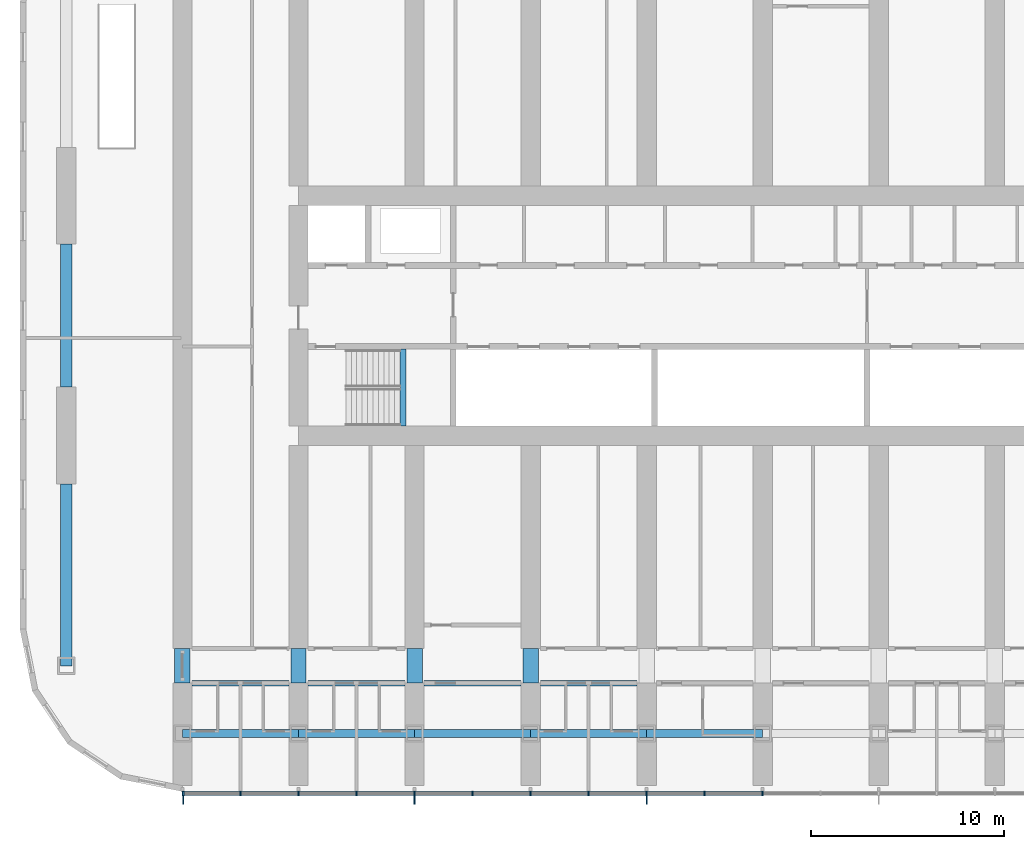
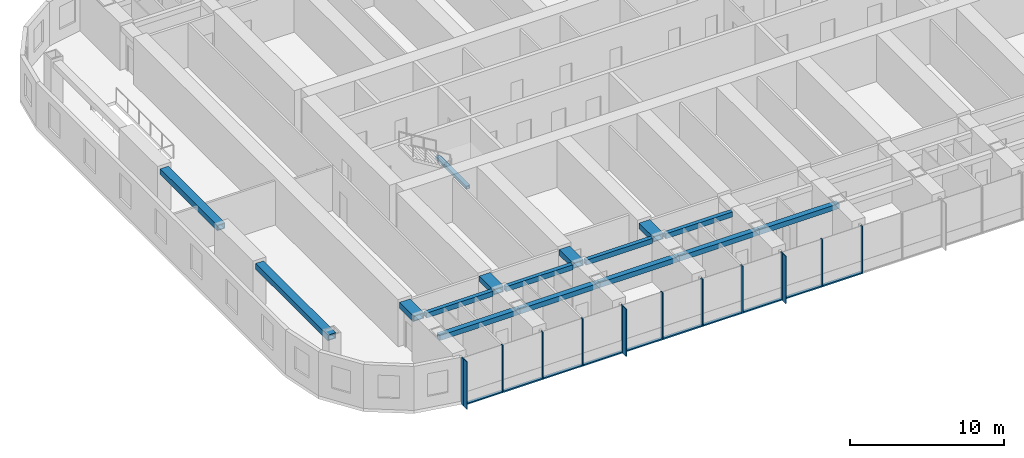
# One storey, part 2 of 24: 24 members, 16 beams, 1 element without a shape of its own.
"""IFC4 building model written with IfcOpenShell, lengths in metres."""

from ifc_helpers import new_model, si_unit, direction, frame, origin, origin_2d, place, context, subcontext, project, spatial, rectangle, hollow_rectangle, extrude, material, material_profile, profile_set, type_object, element, aggregate, save


model = new_model("IFC4")

# Units and contexts
model_context = context("Model", 3, precision=1e-05, world=origin(), true_north=direction((0.0, 1.0)))
body_context = subcontext(model_context, "Body", "Model", "MODEL_VIEW")
ifc_project = project(units=[si_unit("LENGTHUNIT", "METRE"), si_unit("AREAUNIT", "SQUARE_METRE"), si_unit("VOLUMEUNIT", "CUBIC_METRE"), si_unit("PLANEANGLEUNIT", "RADIAN"), si_unit("MASSUNIT", "GRAM", prefix="KILO")], contexts=[model_context])

# Site, building, storey
site_placement = place(None, origin())
site = spatial("IfcSite", under=ifc_project, at=site_placement, CompositionType="ELEMENT")
building_placement = place(site_placement, origin())
building = spatial("IfcBuilding", under=site, at=building_placement, Name="Orbita Commons", CompositionType="ELEMENT")
storey_placement = place(building_placement, frame((0.0, 0.0, 27.699951171875)))
storey = spatial("IfcBuildingStorey", under=building, at=storey_placement, Name="L06", CompositionType="ELEMENT", Elevation=27.699951171875)

# Curtain wall, members
ifc_material_1 = material(Name="Anodised aluminium frame, pale silver", Category="aluminium")
curtain_wall_type = type_object("IfcCurtainWallType", Name="Unitised curtain wall CW-T, vision and spandrel", PredefinedType="NOTDEFINED", material=ifc_material_1)
curtain_wall_placement = place(storey_placement, origin())
curtain_wall = element("IfcCurtainWall", 1, at=curtain_wall_placement, inside=storey, type_object=curtain_wall_type, Name="Curtain wall south L06", PredefinedType="NOTDEFINED")
ifc_material_2 = material(Name="Anodised aluminium, pale silver", Category="aluminium")
ifc_material_profile_1 = material_profile(ifc_material_2, rectangle(XDim=0.080078125, YDim=0.219970703125, at=origin_2d()), Name="AL 80x220")
ifc_profile_set_1 = profile_set([ifc_material_profile_1], Name="Anodised aluminium, pale silver")
member_type_1 = type_object("IfcMemberType", Name="Curtain wall mullion 80x220", PredefinedType="MULLION", material=ifc_profile_set_1)
member_1_placement = place(storey_placement, frame((12.0400390625, 7.2900390625, -0.25), z_axis=(0.0, 0.0, 1.0), x_axis=(1.0, 0.0, 0.0)))
member_1 = element("IfcMember", 2, at=member_1_placement, type_object=member_type_1, Name="Mullion 1 CW-L06-S", PredefinedType="MULLION", context=body_context, shape_type="SweptSolid", body=[
    extrude(rectangle(XDim=0.080078125, YDim=0.219970703125, at=origin_2d()), origin(), (0.0, 0.0, 1.0), 3.75),
])
member_2_placement = place(storey_placement, frame((15.0, 7.2900390625, -0.25), z_axis=(0.0, 0.0, 1.0), x_axis=(1.0, 0.0, 0.0)))
member_2 = element("IfcMember", 3, at=member_2_placement, type_object=member_type_1, Name="Mullion 2 CW-L06-S", PredefinedType="MULLION", context=body_context, shape_type="SweptSolid", body=[
    extrude(rectangle(XDim=0.080078125, YDim=0.219970703125, at=origin_2d()), origin(), (0.0, 0.0, 1.0), 3.75),
])
member_3_placement = place(storey_placement, frame((18.0, 7.2900390625, -0.25), z_axis=(0.0, 0.0, 1.0), x_axis=(1.0, 0.0, 0.0)))
member_3 = element("IfcMember", 4, at=member_3_placement, type_object=member_type_1, Name="Mullion 3 CW-L06-S", PredefinedType="MULLION", context=body_context, shape_type="SweptSolid", body=[
    extrude(rectangle(XDim=0.080078125, YDim=0.219970703125, at=origin_2d()), origin(), (0.0, 0.0, 1.0), 3.75),
])
member_4_placement = place(storey_placement, frame((21.0, 7.2900390625, -0.25), z_axis=(0.0, 0.0, 1.0), x_axis=(1.0, 0.0, 0.0)))
member_4 = element("IfcMember", 5, at=member_4_placement, type_object=member_type_1, Name="Mullion 4 CW-L06-S", PredefinedType="MULLION", context=body_context, shape_type="SweptSolid", body=[
    extrude(rectangle(XDim=0.080078125, YDim=0.219970703125, at=origin_2d()), origin(), (0.0, 0.0, 1.0), 3.75),
])
member_5_placement = place(storey_placement, frame((24.0, 7.2900390625, -0.25), z_axis=(0.0, 0.0, 1.0), x_axis=(1.0, 0.0, 0.0)))
member_5 = element("IfcMember", 6, at=member_5_placement, type_object=member_type_1, Name="Mullion 5 CW-L06-S", PredefinedType="MULLION", context=body_context, shape_type="SweptSolid", body=[
    extrude(rectangle(XDim=0.080078125, YDim=0.219970703125, at=origin_2d()), origin(), (0.0, 0.0, 1.0), 3.75),
])
member_6_placement = place(storey_placement, frame((27.0, 7.2900390625, -0.25), z_axis=(0.0, 0.0, 1.0), x_axis=(1.0, 0.0, 0.0)))
member_6 = element("IfcMember", 7, at=member_6_placement, type_object=member_type_1, Name="Mullion 6 CW-L06-S", PredefinedType="MULLION", context=body_context, shape_type="SweptSolid", body=[
    extrude(rectangle(XDim=0.080078125, YDim=0.219970703125, at=origin_2d()), origin(), (0.0, 0.0, 1.0), 3.75),
])
member_7_placement = place(storey_placement, frame((30.0, 7.2900390625, -0.25), z_axis=(0.0, 0.0, 1.0), x_axis=(1.0, 0.0, 0.0)))
member_7 = element("IfcMember", 8, at=member_7_placement, type_object=member_type_1, Name="Mullion 7 CW-L06-S", PredefinedType="MULLION", context=body_context, shape_type="SweptSolid", body=[
    extrude(rectangle(XDim=0.080078125, YDim=0.219970703125, at=origin_2d()), origin(), (0.0, 0.0, 1.0), 3.75),
])
member_8_placement = place(storey_placement, frame((33.0, 7.2900390625, -0.25), z_axis=(0.0, 0.0, 1.0), x_axis=(1.0, 0.0, 0.0)))
member_8 = element("IfcMember", 9, at=member_8_placement, type_object=member_type_1, Name="Mullion 8 CW-L06-S", PredefinedType="MULLION", context=body_context, shape_type="SweptSolid", body=[
    extrude(rectangle(XDim=0.080078125, YDim=0.219970703125, at=origin_2d()), origin(), (0.0, 0.0, 1.0), 3.75),
])
member_9_placement = place(storey_placement, frame((36.0, 7.2900390625, -0.25), z_axis=(0.0, 0.0, 1.0), x_axis=(1.0, 0.0, 0.0)))
member_9 = element("IfcMember", 10, at=member_9_placement, type_object=member_type_1, Name="Mullion 9 CW-L06-S", PredefinedType="MULLION", context=body_context, shape_type="SweptSolid", body=[
    extrude(rectangle(XDim=0.080078125, YDim=0.219970703125, at=origin_2d()), origin(), (0.0, 0.0, 1.0), 3.75),
])
member_10_placement = place(storey_placement, frame((39.0, 7.2900390625, -0.25), z_axis=(0.0, 0.0, 1.0), x_axis=(1.0, 0.0, 0.0)))
member_10 = element("IfcMember", 11, at=member_10_placement, type_object=member_type_1, Name="Mullion 10 CW-L06-S", PredefinedType="MULLION", context=body_context, shape_type="SweptSolid", body=[
    extrude(rectangle(XDim=0.080078125, YDim=0.219970703125, at=origin_2d()), origin(), (0.0, 0.0, 1.0), 3.75),
])
member_11_placement = place(storey_placement, frame((42.0, 7.2900390625, -0.25), z_axis=(0.0, 0.0, 1.0), x_axis=(1.0, 0.0, 0.0)))
member_11 = element("IfcMember", 12, at=member_11_placement, type_object=member_type_1, Name="Mullion 11 CW-L06-S", PredefinedType="MULLION", context=body_context, shape_type="SweptSolid", body=[
    extrude(rectangle(XDim=0.080078125, YDim=0.219970703125, at=origin_2d()), origin(), (0.0, 0.0, 1.0), 3.75),
])
ifc_material_3 = material(Name="Anodised aluminium, pale silver", Category="aluminium")
ifc_material_profile_2 = material_profile(ifc_material_3, rectangle(XDim=0.219970703125, YDim=0.10009765625, at=origin_2d()), Name="AL 220x100")
ifc_profile_set_2 = profile_set([ifc_material_profile_2], Name="Anodised aluminium, pale silver")
member_type_2 = type_object("IfcMemberType", Name="Curtain wall stack transom 220x100", PredefinedType="USERDEFINED", material=ifc_profile_set_2)
member_12_placement = place(storey_placement, frame((12.080078125, 7.2900390625, -0.199951171875), z_axis=(1.0, 0.0, 0.0), x_axis=(0.0, 1.0, 0.0)))
member_12 = element("IfcMember", 13, at=member_12_placement, type_object=member_type_2, Name="Transom 1.1 CW-L06-S", ObjectType="TRANSOM", PredefinedType="USERDEFINED", context=body_context, shape_type="SweptSolid", body=[
    extrude(rectangle(XDim=0.219970703125, YDim=0.10009765625, at=origin_2d()), origin(), (0.0, 0.0, 1.0), 2.8798828125),
])
member_13_placement = place(storey_placement, frame((15.0400390625, 7.2900390625, -0.199951171875), z_axis=(1.0, 0.0, 0.0), x_axis=(0.0, 1.0, 0.0)))
member_13 = element("IfcMember", 14, at=member_13_placement, type_object=member_type_2, Name="Transom 2.1 CW-L06-S", ObjectType="TRANSOM", PredefinedType="USERDEFINED", context=body_context, shape_type="SweptSolid", body=[
    extrude(rectangle(XDim=0.219970703125, YDim=0.10009765625, at=origin_2d()), origin(), (0.0, 0.0, 1.0), 2.919921875),
])
member_14_placement = place(storey_placement, frame((18.0400390625, 7.2900390625, -0.199951171875), z_axis=(1.0, 0.0, 0.0), x_axis=(0.0, 1.0, 0.0)))
member_14 = element("IfcMember", 15, at=member_14_placement, type_object=member_type_2, Name="Transom 3.1 CW-L06-S", ObjectType="TRANSOM", PredefinedType="USERDEFINED", context=body_context, shape_type="SweptSolid", body=[
    extrude(rectangle(XDim=0.219970703125, YDim=0.10009765625, at=origin_2d()), origin(), (0.0, 0.0, 1.0), 2.919921875),
])
member_15_placement = place(storey_placement, frame((21.0400390625, 7.2900390625, -0.199951171875), z_axis=(1.0, 0.0, 0.0), x_axis=(0.0, 1.0, 0.0)))
member_15 = element("IfcMember", 16, at=member_15_placement, type_object=member_type_2, Name="Transom 4.1 CW-L06-S", ObjectType="TRANSOM", PredefinedType="USERDEFINED", context=body_context, shape_type="SweptSolid", body=[
    extrude(rectangle(XDim=0.219970703125, YDim=0.10009765625, at=origin_2d()), origin(), (0.0, 0.0, 1.0), 2.919921875),
])
member_16_placement = place(storey_placement, frame((24.0400390625, 7.2900390625, -0.199951171875), z_axis=(1.0, 0.0, 0.0), x_axis=(0.0, 1.0, 0.0)))
member_16 = element("IfcMember", 17, at=member_16_placement, type_object=member_type_2, Name="Transom 5.1 CW-L06-S", ObjectType="TRANSOM", PredefinedType="USERDEFINED", context=body_context, shape_type="SweptSolid", body=[
    extrude(rectangle(XDim=0.219970703125, YDim=0.10009765625, at=origin_2d()), origin(), (0.0, 0.0, 1.0), 2.919921875),
])
member_17_placement = place(storey_placement, frame((27.0400390625, 7.2900390625, -0.199951171875), z_axis=(1.0, 0.0, 0.0), x_axis=(0.0, 1.0, 0.0)))
member_17 = element("IfcMember", 18, at=member_17_placement, type_object=member_type_2, Name="Transom 6.1 CW-L06-S", ObjectType="TRANSOM", PredefinedType="USERDEFINED", context=body_context, shape_type="SweptSolid", body=[
    extrude(rectangle(XDim=0.219970703125, YDim=0.10009765625, at=origin_2d()), origin(), (0.0, 0.0, 1.0), 2.919921875),
])
member_18_placement = place(storey_placement, frame((30.0400390625, 7.2900390625, -0.199951171875), z_axis=(1.0, 0.0, 0.0), x_axis=(0.0, 1.0, 0.0)))
member_18 = element("IfcMember", 19, at=member_18_placement, type_object=member_type_2, Name="Transom 7.1 CW-L06-S", ObjectType="TRANSOM", PredefinedType="USERDEFINED", context=body_context, shape_type="SweptSolid", body=[
    extrude(rectangle(XDim=0.219970703125, YDim=0.10009765625, at=origin_2d()), origin(), (0.0, 0.0, 1.0), 2.919921875),
])
member_19_placement = place(storey_placement, frame((33.0400390625, 7.2900390625, -0.199951171875), z_axis=(1.0, 0.0, 0.0), x_axis=(0.0, 1.0, 0.0)))
member_19 = element("IfcMember", 20, at=member_19_placement, type_object=member_type_2, Name="Transom 8.1 CW-L06-S", ObjectType="TRANSOM", PredefinedType="USERDEFINED", context=body_context, shape_type="SweptSolid", body=[
    extrude(rectangle(XDim=0.219970703125, YDim=0.10009765625, at=origin_2d()), origin(), (0.0, 0.0, 1.0), 2.919921875),
])
member_20_placement = place(storey_placement, frame((36.0400390625, 7.2900390625, -0.199951171875), z_axis=(1.0, 0.0, 0.0), x_axis=(0.0, 1.0, 0.0)))
member_20 = element("IfcMember", 21, at=member_20_placement, type_object=member_type_2, Name="Transom 9.1 CW-L06-S", ObjectType="TRANSOM", PredefinedType="USERDEFINED", context=body_context, shape_type="SweptSolid", body=[
    extrude(rectangle(XDim=0.219970703125, YDim=0.10009765625, at=origin_2d()), origin(), (0.0, 0.0, 1.0), 2.919921875),
])
member_21_placement = place(storey_placement, frame((39.0400390625, 7.2900390625, -0.199951171875), z_axis=(1.0, 0.0, 0.0), x_axis=(0.0, 1.0, 0.0)))
member_21 = element("IfcMember", 22, at=member_21_placement, type_object=member_type_2, Name="Transom 10.1 CW-L06-S", ObjectType="TRANSOM", PredefinedType="USERDEFINED", context=body_context, shape_type="SweptSolid", body=[
    extrude(rectangle(XDim=0.219970703125, YDim=0.10009765625, at=origin_2d()), origin(), (0.0, 0.0, 1.0), 2.919921875),
])

# Beams
ifc_material_4 = material(Name="Steel ASTM A572 Gr 50 welded plate", Category="steel")
ifc_material_profile_3 = material_profile(ifc_material_4, hollow_rectangle(XDim=0.300048828125, YDim=0.25, WallThickness=0.02490234375, at=origin_2d()), Name="BOX 250x300x25")
ifc_profile_set_3 = profile_set([ifc_material_profile_3], Name="Steel ASTM A572 Gr 50 welded plate")
beam_type_1 = type_object("IfcBeamType", Name="Stair landing beam steel BOX 250x300x25", PredefinedType="BEAM", material=ifc_profile_set_3)
beam_1_placement = place(storey_placement, frame((23.39990234375, 26.284912109375, 1.550048828125), z_axis=(0.0, 1.0, 0.0), x_axis=(-1.0, 0.0, 0.0)))
element("IfcBeam", 23, at=beam_1_placement, inside=storey, type_object=beam_type_1, Name="Stair S1 landing beam L06 1", PredefinedType="BEAM", context=body_context, shape_type="SweptSolid", body=[
    extrude(hollow_rectangle(XDim=0.300048828125, YDim=0.25, WallThickness=0.02490234375, at=origin_2d()), origin(), (0.0, 0.0, 1.0), 3.97998046875),
])
ifc_material_5 = material(Name="Steel ASTM A572 Gr 50 welded plate", Category="steel")
ifc_material_profile_4 = material_profile(ifc_material_5, hollow_rectangle(XDim=0.300048828125, YDim=0.39990234375, WallThickness=0.0400390625, at=origin_2d()), Name="BOX 400x300x40")
ifc_profile_set_4 = profile_set([ifc_material_profile_4], Name="Steel ASTM A572 Gr 50 welded plate")
beam_type_2 = type_object("IfcBeamType", Name="Steel corridor link BOX 400x300x40", PredefinedType="BEAM", material=ifc_profile_set_4)
for number, where, z_axis, x_axis, name in (
    (24, (12.5, 13.0, 3.300048828125), (1.0, 0.0, 0.0), (0.0, 1.0, 0.0), "Corridor beam SA 3-4 L06"),
    (25, (18.5, 13.0, 3.300048828125), (1.0, 0.0, 0.0), (0.0, 1.0, 0.0), "Corridor beam SA 4-5 L06"),
    (26, (24.5, 13.0, 3.300048828125), (1.0, 0.0, 0.0), (0.0, 1.0, 0.0), "Corridor beam SA 5-6 L06"),
    (27, (30.5, 13.0, 3.300048828125), (1.0, 0.0, 0.0), (0.0, 1.0, 0.0), "Corridor beam SA 6-7 L06"),
):
    element("IfcBeam", number, at=place(storey_placement, frame(where, z_axis=z_axis, x_axis=x_axis)), inside=storey, type_object=beam_type_2, Name=name, PredefinedType="BEAM", context=body_context, shape_type="SweptSolid", body=[
        extrude(hollow_rectangle(XDim=0.300048828125, YDim=0.39990234375, WallThickness=0.0400390625, at=origin_2d()), origin(), (0.0, 0.0, 1.0), 5.0),
    ])
ifc_material_6 = material(Name="Steel ASTM A572 Gr 50 welded plate", Category="steel")
ifc_material_profile_5 = material_profile(ifc_material_6, hollow_rectangle(XDim=0.800048828125, YDim=0.449951171875, WallThickness=0.06005859375, at=origin_2d()), Name="BOX 450x800x60")
ifc_profile_set_5 = profile_set([ifc_material_profile_5], Name="Steel ASTM A572 Gr 50 welded plate")
beam_type_3 = type_object("IfcBeamType", Name="Steel coupling link BOX 450x800x60", PredefinedType="LINTEL", material=ifc_profile_set_5)
for number, where, z_axis, x_axis, name in (
    (28, (12.0, 13.0, 3.275146484375), (0.0, 1.0, 0.0), (-1.0, 0.0, 0.0), "Coupling beam 3 south L06"),
    (29, (18.0, 13.0, 3.275146484375), (0.0, 1.0, 0.0), (-1.0, 0.0, 0.0), "Coupling beam 4 south L06"),
    (30, (24.0, 13.0, 3.275146484375), (0.0, 1.0, 0.0), (-1.0, 0.0, 0.0), "Coupling beam 5 south L06"),
    (31, (30.0, 13.0, 3.275146484375), (0.0, 1.0, 0.0), (-1.0, 0.0, 0.0), "Coupling beam 6 south L06"),
):
    element("IfcBeam", number, at=place(storey_placement, frame(where, z_axis=z_axis, x_axis=x_axis)), inside=storey, type_object=beam_type_3, Name=name, PredefinedType="LINTEL", context=body_context, shape_type="SweptSolid", body=[
        extrude(hollow_rectangle(XDim=0.800048828125, YDim=0.449951171875, WallThickness=0.06005859375, at=origin_2d()), origin(), (0.0, 0.0, 1.0), 1.800048828125),
    ])
ifc_material_7 = material(Name="Steel ASTM A572 Gr 50 welded plate", Category="steel")
ifc_material_profile_6 = material_profile(ifc_material_7, hollow_rectangle(XDim=0.60009765625, YDim=0.449951171875, WallThickness=0.06005859375, at=origin_2d()), Name="BOX 450x600x60")
ifc_profile_set_6 = profile_set([ifc_material_profile_6], Name="Steel ASTM A572 Gr 50 welded plate")
beam_type_4 = type_object("IfcBeamType", Name="Steel end frame link BOX 450x600x60", PredefinedType="BEAM", material=ifc_profile_set_6)
beam_2_placement = place(storey_placement, frame((6.0, 13.89990234375, 3.275146484375), z_axis=(0.0, 1.0, 0.0), x_axis=(-1.0, 0.0, 0.0)))
element("IfcBeam", 32, at=beam_2_placement, inside=storey, type_object=beam_type_4, Name="End frame beam 2 B-C L06", PredefinedType="BEAM", context=body_context, shape_type="SweptSolid", body=[
    extrude(hollow_rectangle(XDim=0.60009765625, YDim=0.449951171875, WallThickness=0.06005859375, at=origin_2d()), origin(), (0.0, 0.0, 1.0), 9.400146484375),
])
beam_3_placement = place(storey_placement, frame((6.0, 28.300048828125, 3.275146484375), z_axis=(0.0, 1.0, 0.0), x_axis=(-1.0, 0.0, 0.0)))
element("IfcBeam", 33, at=beam_3_placement, inside=storey, type_object=beam_type_4, Name="End frame beam 2 C-D L06", PredefinedType="BEAM", context=body_context, shape_type="SweptSolid", body=[
    extrude(hollow_rectangle(XDim=0.60009765625, YDim=0.449951171875, WallThickness=0.06005859375, at=origin_2d()), origin(), (0.0, 0.0, 1.0), 7.39990234375),
])
ifc_material_8 = material(Name="Steel ASTM A572 Gr 50 welded plate", Category="steel")
ifc_material_profile_7 = material_profile(ifc_material_8, hollow_rectangle(XDim=0.39990234375, YDim=0.39990234375, WallThickness=0.0400390625, at=origin_2d()), Name="BOX 400x400x40")
ifc_profile_set_7 = profile_set([ifc_material_profile_7], Name="Steel ASTM A572 Gr 50 welded plate")
beam_type_5 = type_object("IfcBeamType", Name="Steel spandrel BOX 400x400x40", PredefinedType="SPANDREL", material=ifc_profile_set_7)
for number, where, z_axis, x_axis, name in (
    (34, (12.0, 10.39990234375, 3.300048828125), (1.0, 0.0, 0.0), (0.0, 1.0, 0.0), "Spandrel beam B 3-4 L06"),
    (35, (18.0, 10.39990234375, 3.300048828125), (1.0, 0.0, 0.0), (0.0, 1.0, 0.0), "Spandrel beam B 4-5 L06"),
    (36, (24.0, 10.39990234375, 3.300048828125), (1.0, 0.0, 0.0), (0.0, 1.0, 0.0), "Spandrel beam B 5-6 L06"),
    (37, (30.0, 10.39990234375, 3.300048828125), (1.0, 0.0, 0.0), (0.0, 1.0, 0.0), "Spandrel beam B 6-7 L06"),
    (38, (36.0, 10.39990234375, 3.300048828125), (1.0, 0.0, 0.0), (0.0, 1.0, 0.0), "Spandrel beam B 7-8 L06"),
):
    element("IfcBeam", number, at=place(storey_placement, frame(where, z_axis=z_axis, x_axis=x_axis)), inside=storey, type_object=beam_type_5, Name=name, PredefinedType="SPANDREL", context=body_context, shape_type="SweptSolid", body=[
        extrude(hollow_rectangle(XDim=0.39990234375, YDim=0.39990234375, WallThickness=0.0400390625, at=origin_2d()), origin(), (0.0, 0.0, 1.0), 6.0),
    ])

# Member
ifc_material_9 = material(Name="Anodised aluminium, pale silver", Category="aluminium")
ifc_material_profile_8 = material_profile(ifc_material_9, rectangle(XDim=0.06005859375, YDim=0.449951171875, at=origin_2d()), Name="FIN 60x450")
ifc_profile_set_8 = profile_set([ifc_material_profile_8], Name="Anodised aluminium, pale silver")
member_type_3 = type_object("IfcMemberType", Name="Vertical fin 60x450 pale aluminium", PredefinedType="USERDEFINED", material=ifc_profile_set_8)
member_22_placement = place(storey_placement, frame((12.0400390625, 6.955078125, -0.25), z_axis=(0.0, 0.0, 1.0), x_axis=(1.0, 0.0, 0.0)))
member_22 = element("IfcMember", 39, at=member_22_placement, type_object=member_type_3, Name="Fin 1 CW-L06-S", ObjectType="FIN", PredefinedType="USERDEFINED", context=body_context, shape_type="SweptSolid", body=[
    extrude(rectangle(XDim=0.06005859375, YDim=0.449951171875, at=origin_2d()), origin(), (0.0, 0.0, 1.0), 3.75),
])

member_23_placement = place(storey_placement, frame((24.0, 6.955078125, -0.25), z_axis=(0.0, 0.0, 1.0), x_axis=(1.0, 0.0, 0.0)))
member_23 = element("IfcMember", 40, at=member_23_placement, type_object=member_type_3, Name="Fin 5 CW-L06-S", ObjectType="FIN", PredefinedType="USERDEFINED", context=body_context, shape_type="SweptSolid", body=[
    extrude(rectangle(XDim=0.06005859375, YDim=0.449951171875, at=origin_2d()), origin(), (0.0, 0.0, 1.0), 3.75),
])

member_24_placement = place(storey_placement, frame((36.0, 6.955078125, -0.25), z_axis=(0.0, 0.0, 1.0), x_axis=(1.0, 0.0, 0.0)))
member_24 = element("IfcMember", 41, at=member_24_placement, type_object=member_type_3, Name="Fin 9 CW-L06-S", ObjectType="FIN", PredefinedType="USERDEFINED", context=body_context, shape_type="SweptSolid", body=[
    extrude(rectangle(XDim=0.06005859375, YDim=0.449951171875, at=origin_2d()), origin(), (0.0, 0.0, 1.0), 3.75),
])

aggregate(curtain_wall, [member_1, member_22, member_2, member_3, member_4, member_5, member_23, member_6, member_7, member_8, member_9, member_24, member_10, member_11, member_12, member_13, member_14, member_15, member_16, member_17, member_18, member_19, member_20, member_21])

save(model, "model.ifc")
